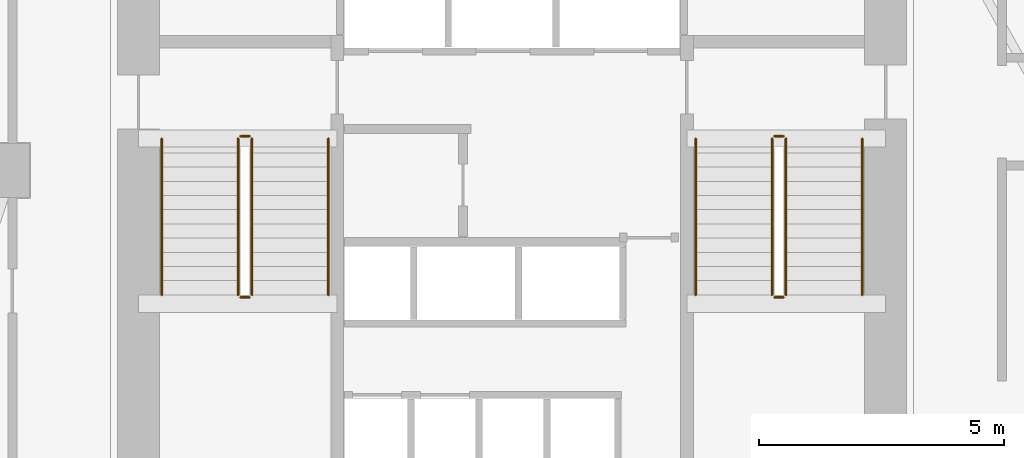
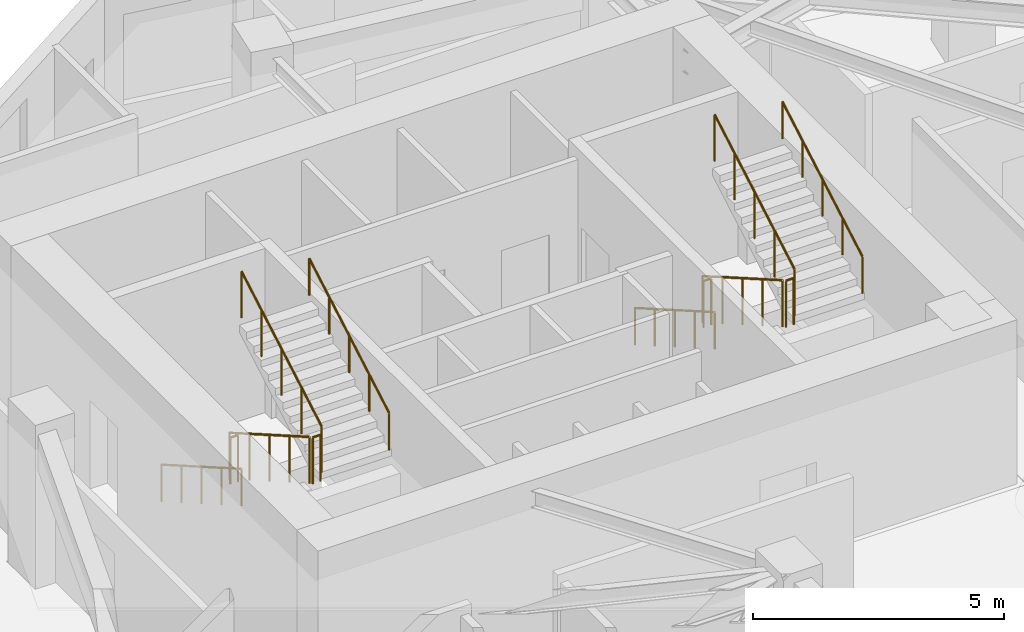
# One storey, part 9 of 10: 12 railings.
"""IFC4 building model written with IfcOpenShell, lengths in metres."""

from ifc_helpers import new_model, si_unit, direction, frame, origin, origin_2d, place, context, subcontext, project, spatial, circle, extrude, material, type_object, element, save


model = new_model("IFC4")

# Units and contexts
model_context = context("Model", 3, precision=1e-05, world=origin(), true_north=direction((0.0, 1.0)))
body_context = subcontext(model_context, "Body", "Model", "MODEL_VIEW")
ifc_project = project(units=[si_unit("LENGTHUNIT", "METRE"), si_unit("AREAUNIT", "SQUARE_METRE"), si_unit("VOLUMEUNIT", "CUBIC_METRE"), si_unit("PLANEANGLEUNIT", "RADIAN"), si_unit("MASSUNIT", "GRAM", prefix="KILO")], contexts=[model_context])

# Site, building, storey
site_placement = place(None, origin())
site = spatial("IfcSite", under=ifc_project, at=site_placement, CompositionType="ELEMENT")
building_placement = place(site_placement, origin())
building = spatial("IfcBuilding", under=site, at=building_placement, Name="Calvemar Wedge Station Tower", CompositionType="ELEMENT")
storey_placement = place(building_placement, frame((0.0, 0.0, 87.0)))
storey = spatial("IfcBuildingStorey", under=building, at=storey_placement, Name="L21", CompositionType="ELEMENT", Elevation=87.0)

# Railings
ifc_material_1 = material(Name="Stainless steel AISI 316L", Category="steel")
railing_type_1 = type_object("IfcRailingType", Name="RL-HANDRAIL-920", PredefinedType="HANDRAIL", material=ifc_material_1)
railing_1_placement = place(storey_placement, frame((16.64990234375, 41.14990234375, 0.166748046875)))
element("IfcRailing", 1, at=railing_1_placement, inside=storey, type_object=railing_type_1, Name="L21 ST-C1 stair handrail 1", PredefinedType="HANDRAIL", context=body_context, shape_type="SweptSolid", body=[
    extrude(circle(Radius=0.02392578125, at=origin_2d()), frame((0.0, 0.0, 0.89599609375), z_axis=(0.0, -0.867019545617, 0.498274128887), x_axis=(1.0, 0.0, 0.0)), (0.0, 0.0, 1.0), 3.67919921875),
    extrude(circle(Radius=0.02099609375, at=origin_2d()), origin(), (0.0, 0.0, 1.0), 0.871826171875),
    extrude(circle(Radius=0.02099609375, at=origin_2d()), frame((0.0, -0.79736328125, 0.458251953125)), (0.0, 0.0, 1.0), 0.871826171875),
    extrude(circle(Radius=0.02099609375, at=origin_2d()), frame((0.0, -1.594970703125, 0.91650390625)), (0.0, 0.0, 1.0), 0.871826171875),
    extrude(circle(Radius=0.02099609375, at=origin_2d()), frame((0.0, -2.392578125, 1.375)), (0.0, 0.0, 1.0), 0.871826171875),
    extrude(circle(Radius=0.02099609375, at=origin_2d()), frame((0.0, -3.18994140625, 1.833251953125)), (0.0, 0.0, 1.0), 0.871826171875),
])
railing_2_placement = place(storey_placement, frame((20.050048828125, 37.9599609375, 2.166748046875)))
element("IfcRailing", 2, at=railing_2_placement, inside=storey, type_object=railing_type_1, Name="L21 ST-C1 stair handrail 2", PredefinedType="HANDRAIL", context=body_context, shape_type="SweptSolid", body=[
    extrude(circle(Radius=0.02392578125, at=origin_2d()), frame((0.0, 0.0, 0.89599609375), z_axis=(0.0, 0.867019545617, 0.498274128887), x_axis=(-1.0, 0.0, 0.0)), (0.0, 0.0, 1.0), 3.67919921875),
    extrude(circle(Radius=0.02099609375, at=origin_2d()), origin(), (0.0, 0.0, 1.0), 0.871826171875),
    extrude(circle(Radius=0.02099609375, at=origin_2d()), frame((0.0, 0.79736328125, 0.458251953125)), (0.0, 0.0, 1.0), 0.871826171875),
    extrude(circle(Radius=0.02099609375, at=origin_2d()), frame((0.0, 1.594970703125, 0.91650390625)), (0.0, 0.0, 1.0), 0.871826171875),
    extrude(circle(Radius=0.02099609375, at=origin_2d()), frame((0.0, 2.392578125, 1.375)), (0.0, 0.0, 1.0), 0.871826171875),
    extrude(circle(Radius=0.02099609375, at=origin_2d()), frame((0.0, 3.18994140625, 1.833251953125)), (0.0, 0.0, 1.0), 0.871826171875),
])
railing_3_placement = place(storey_placement, frame((27.550048828125, 41.14990234375, 0.166748046875)))
element("IfcRailing", 3, at=railing_3_placement, inside=storey, type_object=railing_type_1, Name="L21 ST-C2 stair handrail 1", PredefinedType="HANDRAIL", context=body_context, shape_type="SweptSolid", body=[
    extrude(circle(Radius=0.02392578125, at=origin_2d()), frame((0.0, 0.0, 0.89599609375), z_axis=(0.0, -0.867019545617, 0.498274128887), x_axis=(1.0, 0.0, 0.0)), (0.0, 0.0, 1.0), 3.67919921875),
    extrude(circle(Radius=0.02099609375, at=origin_2d()), origin(), (0.0, 0.0, 1.0), 0.871826171875),
    extrude(circle(Radius=0.02099609375, at=origin_2d()), frame((0.0, -0.79736328125, 0.458251953125)), (0.0, 0.0, 1.0), 0.871826171875),
    extrude(circle(Radius=0.02099609375, at=origin_2d()), frame((0.0, -1.594970703125, 0.91650390625)), (0.0, 0.0, 1.0), 0.871826171875),
    extrude(circle(Radius=0.02099609375, at=origin_2d()), frame((0.0, -2.392578125, 1.375)), (0.0, 0.0, 1.0), 0.871826171875),
    extrude(circle(Radius=0.02099609375, at=origin_2d()), frame((0.0, -3.18994140625, 1.833251953125)), (0.0, 0.0, 1.0), 0.871826171875),
])
railing_4_placement = place(storey_placement, frame((30.949951171875, 37.9599609375, 2.166748046875)))
element("IfcRailing", 4, at=railing_4_placement, inside=storey, type_object=railing_type_1, Name="L21 ST-C2 stair handrail 2", PredefinedType="HANDRAIL", context=body_context, shape_type="SweptSolid", body=[
    extrude(circle(Radius=0.02392578125, at=origin_2d()), frame((0.0, 0.0, 0.89599609375), z_axis=(0.0, 0.867019545617, 0.498274128887), x_axis=(-1.0, 0.0, 0.0)), (0.0, 0.0, 1.0), 3.67919921875),
    extrude(circle(Radius=0.02099609375, at=origin_2d()), origin(), (0.0, 0.0, 1.0), 0.871826171875),
    extrude(circle(Radius=0.02099609375, at=origin_2d()), frame((0.0, 0.79736328125, 0.458251953125)), (0.0, 0.0, 1.0), 0.871826171875),
    extrude(circle(Radius=0.02099609375, at=origin_2d()), frame((0.0, 1.594970703125, 0.91650390625)), (0.0, 0.0, 1.0), 0.871826171875),
    extrude(circle(Radius=0.02099609375, at=origin_2d()), frame((0.0, 2.392578125, 1.375)), (0.0, 0.0, 1.0), 0.871826171875),
    extrude(circle(Radius=0.02099609375, at=origin_2d()), frame((0.0, 3.18994140625, 1.833251953125)), (0.0, 0.0, 1.0), 0.871826171875),
])
ifc_material_2 = material(Name="Painted steel guardrail ASTM A500 Grade C", Category="steel")
railing_type_2 = type_object("IfcRailingType", Name="RL-STAIR-GUARD-1150", PredefinedType="GUARDRAIL", material=ifc_material_2)
railing_5_placement = place(storey_placement, frame((18.2099609375, 41.14990234375, 0.166748046875)))
element("IfcRailing", 5, at=railing_5_placement, inside=storey, type_object=railing_type_2, Name="L21 ST-C1 stair guard 1", PredefinedType="GUARDRAIL", context=body_context, shape_type="SweptSolid", body=[
    extrude(circle(Radius=0.02392578125, at=origin_2d()), frame((0.0, 0.0, 1.1259765625), z_axis=(0.0, -0.867019545617, 0.498274128887), x_axis=(1.0, 0.0, 0.0)), (0.0, 0.0, 1.0), 3.67919921875),
    extrude(circle(Radius=0.02099609375, at=origin_2d()), origin(), (0.0, 0.0, 1.0), 1.101806640625),
    extrude(circle(Radius=0.02099609375, at=origin_2d()), frame((0.0, -0.79736328125, 0.458251953125)), (0.0, 0.0, 1.0), 1.101806640625),
    extrude(circle(Radius=0.02099609375, at=origin_2d()), frame((0.0, -1.594970703125, 0.91650390625)), (0.0, 0.0, 1.0), 1.101806640625),
    extrude(circle(Radius=0.02099609375, at=origin_2d()), frame((0.0, -2.392578125, 1.375)), (0.0, 0.0, 1.0), 1.101806640625),
    extrude(circle(Radius=0.02099609375, at=origin_2d()), frame((0.0, -3.18994140625, 1.833251953125)), (0.0, 0.0, 1.0), 1.101806640625),
])
railing_6_placement = place(storey_placement, frame((18.260009765625, 37.909912109375, 2.0)))
element("IfcRailing", 6, at=railing_6_placement, inside=storey, type_object=railing_type_2, Name="L21 ST-C1 stair guard 2", PredefinedType="GUARDRAIL", context=body_context, shape_type="SweptSolid", body=[
    extrude(circle(Radius=0.02392578125, at=origin_2d()), frame((0.0, 0.0, 1.1259765625), z_axis=(1.0, 0.0, 0.0), x_axis=(0.0, 1.0, 0.0)), (0.0, 0.0, 1.0), 0.179931640625),
    extrude(circle(Radius=0.02099609375, at=origin_2d()), origin(), (0.0, 0.0, 1.0), 1.101806640625),
    extrude(circle(Radius=0.02099609375, at=origin_2d()), frame((0.179931640625, 0.0, 0.0)), (0.0, 0.0, 1.0), 1.101806640625),
])
railing_7_placement = place(storey_placement, frame((18.489990234375, 37.9599609375, 2.166748046875)))
element("IfcRailing", 7, at=railing_7_placement, inside=storey, type_object=railing_type_2, Name="L21 ST-C1 stair guard 3", PredefinedType="GUARDRAIL", context=body_context, shape_type="SweptSolid", body=[
    extrude(circle(Radius=0.02392578125, at=origin_2d()), frame((0.0, 0.0, 1.1259765625), z_axis=(0.0, 0.867019545617, 0.498274128887), x_axis=(-1.0, 0.0, 0.0)), (0.0, 0.0, 1.0), 3.67919921875),
    extrude(circle(Radius=0.02099609375, at=origin_2d()), origin(), (0.0, 0.0, 1.0), 1.101806640625),
    extrude(circle(Radius=0.02099609375, at=origin_2d()), frame((0.0, 0.79736328125, 0.458251953125)), (0.0, 0.0, 1.0), 1.101806640625),
    extrude(circle(Radius=0.02099609375, at=origin_2d()), frame((0.0, 1.594970703125, 0.91650390625)), (0.0, 0.0, 1.0), 1.101806640625),
    extrude(circle(Radius=0.02099609375, at=origin_2d()), frame((0.0, 2.392578125, 1.375)), (0.0, 0.0, 1.0), 1.101806640625),
    extrude(circle(Radius=0.02099609375, at=origin_2d()), frame((0.0, 3.18994140625, 1.833251953125)), (0.0, 0.0, 1.0), 1.101806640625),
])
railing_8_placement = place(storey_placement, frame((18.260009765625, 41.199951171875, 0.0)))
element("IfcRailing", 8, at=railing_8_placement, inside=storey, type_object=railing_type_2, Name="L21 ST-C1 stair guard 4", PredefinedType="GUARDRAIL", context=body_context, shape_type="SweptSolid", body=[
    extrude(circle(Radius=0.02392578125, at=origin_2d()), frame((0.0, 0.0, 1.1259765625), z_axis=(1.0, 0.0, 0.0), x_axis=(0.0, 1.0, 0.0)), (0.0, 0.0, 1.0), 0.179931640625),
    extrude(circle(Radius=0.02099609375, at=origin_2d()), origin(), (0.0, 0.0, 1.0), 1.101806640625),
    extrude(circle(Radius=0.02099609375, at=origin_2d()), frame((0.179931640625, 0.0, 0.0)), (0.0, 0.0, 1.0), 1.101806640625),
])
railing_9_placement = place(storey_placement, frame((29.110107421875, 41.14990234375, 0.166748046875)))
element("IfcRailing", 9, at=railing_9_placement, inside=storey, type_object=railing_type_2, Name="L21 ST-C2 stair guard 1", PredefinedType="GUARDRAIL", context=body_context, shape_type="SweptSolid", body=[
    extrude(circle(Radius=0.02392578125, at=origin_2d()), frame((0.0, 0.0, 1.1259765625), z_axis=(0.0, -0.867019545617, 0.498274128887), x_axis=(1.0, 0.0, 0.0)), (0.0, 0.0, 1.0), 3.67919921875),
    extrude(circle(Radius=0.02099609375, at=origin_2d()), origin(), (0.0, 0.0, 1.0), 1.101806640625),
    extrude(circle(Radius=0.02099609375, at=origin_2d()), frame((0.0, -0.79736328125, 0.458251953125)), (0.0, 0.0, 1.0), 1.101806640625),
    extrude(circle(Radius=0.02099609375, at=origin_2d()), frame((0.0, -1.594970703125, 0.91650390625)), (0.0, 0.0, 1.0), 1.101806640625),
    extrude(circle(Radius=0.02099609375, at=origin_2d()), frame((0.0, -2.392578125, 1.375)), (0.0, 0.0, 1.0), 1.101806640625),
    extrude(circle(Radius=0.02099609375, at=origin_2d()), frame((0.0, -3.18994140625, 1.833251953125)), (0.0, 0.0, 1.0), 1.101806640625),
])
railing_10_placement = place(storey_placement, frame((29.159912109375, 37.909912109375, 2.0)))
element("IfcRailing", 10, at=railing_10_placement, inside=storey, type_object=railing_type_2, Name="L21 ST-C2 stair guard 2", PredefinedType="GUARDRAIL", context=body_context, shape_type="SweptSolid", body=[
    extrude(circle(Radius=0.02392578125, at=origin_2d()), frame((0.0, 0.0, 1.1259765625), z_axis=(1.0, 0.0, 0.0), x_axis=(0.0, 1.0, 0.0)), (0.0, 0.0, 1.0), 0.18017578125),
    extrude(circle(Radius=0.02099609375, at=origin_2d()), origin(), (0.0, 0.0, 1.0), 1.101806640625),
    extrude(circle(Radius=0.02099609375, at=origin_2d()), frame((0.18017578125, 0.0, 0.0)), (0.0, 0.0, 1.0), 1.101806640625),
])
railing_11_placement = place(storey_placement, frame((29.389892578125, 37.9599609375, 2.166748046875)))
element("IfcRailing", 11, at=railing_11_placement, inside=storey, type_object=railing_type_2, Name="L21 ST-C2 stair guard 3", PredefinedType="GUARDRAIL", context=body_context, shape_type="SweptSolid", body=[
    extrude(circle(Radius=0.02392578125, at=origin_2d()), frame((0.0, 0.0, 1.1259765625), z_axis=(0.0, 0.867019545617, 0.498274128887), x_axis=(-1.0, 0.0, 0.0)), (0.0, 0.0, 1.0), 3.67919921875),
    extrude(circle(Radius=0.02099609375, at=origin_2d()), origin(), (0.0, 0.0, 1.0), 1.101806640625),
    extrude(circle(Radius=0.02099609375, at=origin_2d()), frame((0.0, 0.79736328125, 0.458251953125)), (0.0, 0.0, 1.0), 1.101806640625),
    extrude(circle(Radius=0.02099609375, at=origin_2d()), frame((0.0, 1.594970703125, 0.91650390625)), (0.0, 0.0, 1.0), 1.101806640625),
    extrude(circle(Radius=0.02099609375, at=origin_2d()), frame((0.0, 2.392578125, 1.375)), (0.0, 0.0, 1.0), 1.101806640625),
    extrude(circle(Radius=0.02099609375, at=origin_2d()), frame((0.0, 3.18994140625, 1.833251953125)), (0.0, 0.0, 1.0), 1.101806640625),
])
railing_12_placement = place(storey_placement, frame((29.159912109375, 41.199951171875, 0.0)))
element("IfcRailing", 12, at=railing_12_placement, inside=storey, type_object=railing_type_2, Name="L21 ST-C2 stair guard 4", PredefinedType="GUARDRAIL", context=body_context, shape_type="SweptSolid", body=[
    extrude(circle(Radius=0.02392578125, at=origin_2d()), frame((0.0, 0.0, 1.1259765625), z_axis=(1.0, 0.0, 0.0), x_axis=(0.0, 1.0, 0.0)), (0.0, 0.0, 1.0), 0.18017578125),
    extrude(circle(Radius=0.02099609375, at=origin_2d()), origin(), (0.0, 0.0, 1.0), 1.101806640625),
    extrude(circle(Radius=0.02099609375, at=origin_2d()), frame((0.18017578125, 0.0, 0.0)), (0.0, 0.0, 1.0), 1.101806640625),
])

save(model, "model.ifc")
